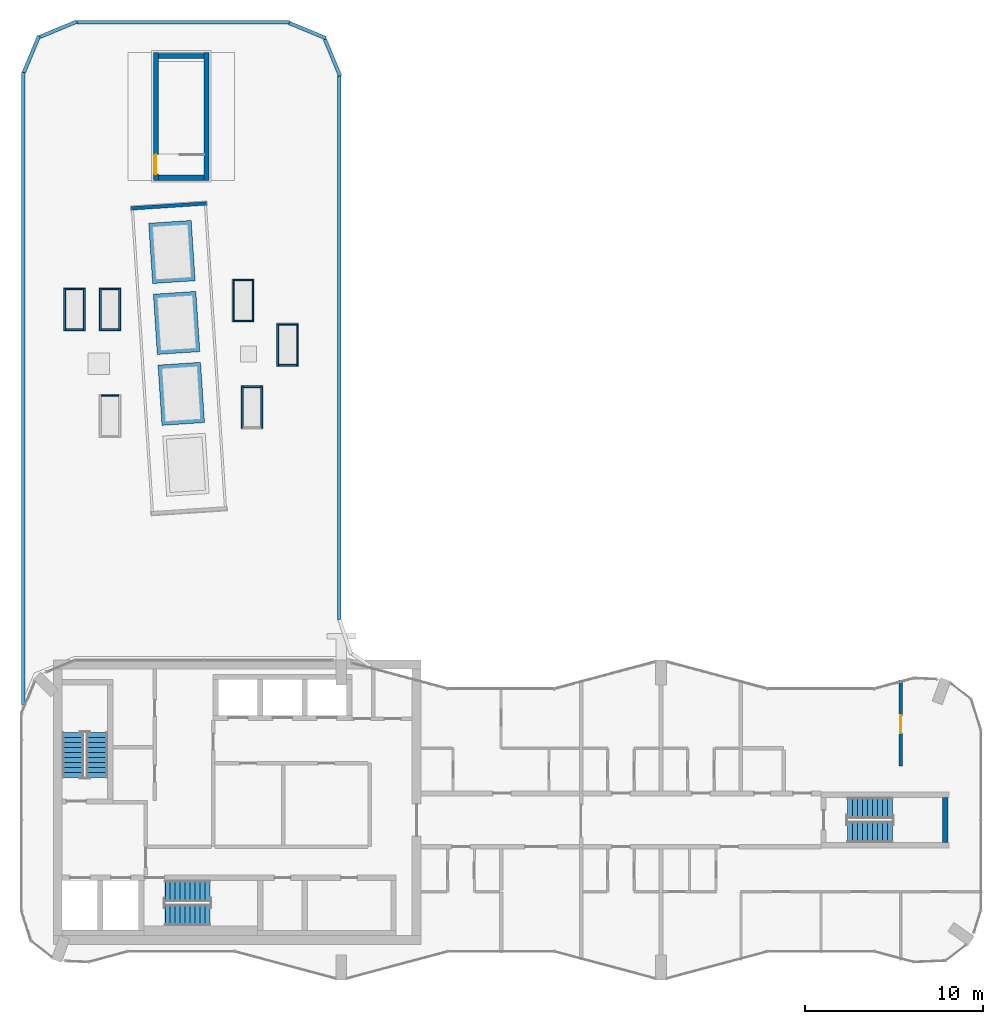
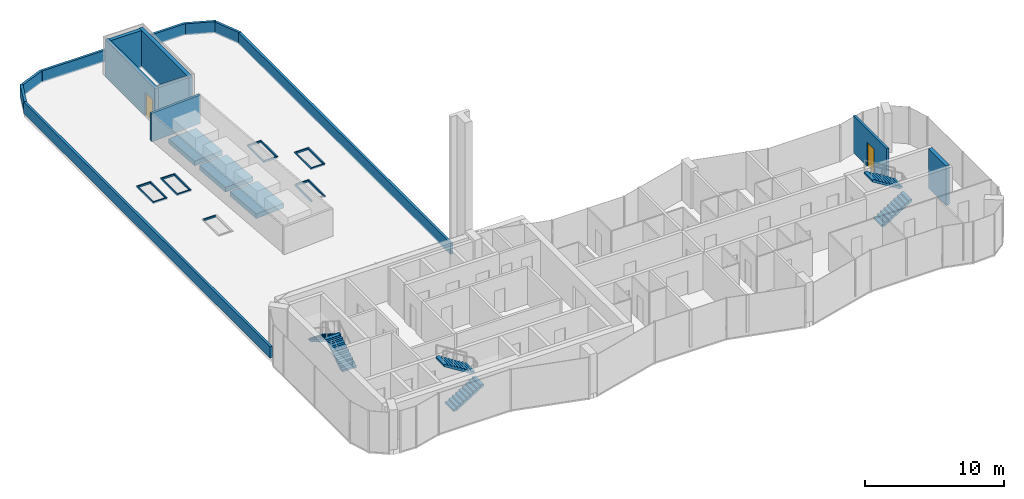
# One storey, part 10 of 13: 37 walls, 6 stair flights, 2 doors, 2 openings, 3 elements without a shape of their own.
"""IFC4 building model written with IfcOpenShell, lengths in metres."""

import ifcopenshell
import ifcopenshell.guid

model = None  # the IFC model being written
_history = None  # IfcOwnerHistory: only IFC2X3 demands one
_inside = {}  # id of a spatial element -> (the spatial element, [elements in it])
_under = {}  # id of a project, library or spatial element -> (it, [spatial elements below it])
_declared = {}  # id of a project -> (the project, [libraries it declares])
_typed = {}  # id of a type object -> (the type object, [elements of that type])
_made_of = {}  # id of a material, layer set ... -> (it, [elements and type objects made of it])


def new_model(schema):
    """Start an empty IFC model of exactly this schema.

    Asked for "IFC4X3", IfcOpenShell would pick the latest addendum, in which some entities
    have other attributes; the version numbers below select the first issue.
    IFC2X3 requires an IfcOwnerHistory on every rooted entity: one is made here for all.
    """
    global model, _history
    if schema == "IFC4X3":
        model = ifcopenshell.file(schema_version=(4, 3, 0, 0))
    else:
        model = ifcopenshell.file(schema=schema)
    _inside.clear()
    _under.clear()
    _declared.clear()
    _typed.clear()
    _made_of.clear()
    _history = None
    if model.schema == "IFC2X3":
        org = make("IfcOrganization", Name="unknown")
        user = make(
            "IfcPersonAndOrganization",
            ThePerson=make("IfcPerson", FamilyName="unknown"),
            TheOrganization=org,
        )
        app = make(
            "IfcApplication",
            ApplicationDeveloper=org,
            Version="unknown",
            ApplicationFullName="unknown",
            ApplicationIdentifier="unknown",
        )
        _history = make(
            "IfcOwnerHistory",
            OwningUser=user,
            OwningApplication=app,
            ChangeAction="ADDED",
            CreationDate=0,
        )
    return model


def make(cls, **values):
    """One entity of the class cls with the attributes given. An attribute that is None is left unset."""
    return model.create_entity(
        cls, **{name: value for name, value in values.items() if value is not None}
    )


def rooted(cls, **values):
    """An entity with a GlobalId (a new one), such as an element, a storey or a relation."""
    return make(cls, GlobalId=ifcopenshell.guid.new(), OwnerHistory=_history, **values)


def si_unit(unit_type, name, prefix=None):
    """IfcSIUnit, for example si_unit("LENGTHUNIT", "METRE", prefix="MILLI")."""
    return make("IfcSIUnit", UnitType=unit_type, Prefix=prefix, Name=name)


def assignment(units):
    """IfcUnitAssignment: the units of a project."""
    return None if units is None else make("IfcUnitAssignment", Units=units)


def point(xyz):
    """IfcCartesianPoint."""
    return None if xyz is None else make("IfcCartesianPoint", Coordinates=xyz)


def direction(xyz):
    """IfcDirection."""
    return None if xyz is None else make("IfcDirection", DirectionRatios=xyz)


def frame(location, z_axis=None, x_axis=None):
    """IfcAxis2Placement3D, a coordinate frame: its origin and axes. An axis left out is left unset."""
    return make(
        "IfcAxis2Placement3D",
        Location=point(location),
        Axis=direction(z_axis),
        RefDirection=direction(x_axis),
    )


def frame_2d(location, x_axis=None):
    """IfcAxis2Placement2D, a coordinate frame in the plane: its origin and x axis."""
    return make(
        "IfcAxis2Placement2D", Location=point(location), RefDirection=direction(x_axis)
    )


def origin():
    """The frame at (0, 0, 0) with its axes left unset."""
    return frame((0.0, 0.0, 0.0))


def place(relative_to, where):
    """IfcLocalPlacement: puts the frame where relative to a parent placement (None: the world)."""
    return make(
        "IfcLocalPlacement", PlacementRelTo=relative_to, RelativePlacement=where
    )


def context(
    kind, dimensions, precision=None, world=None, true_north=None, identifier=None
):
    """IfcGeometricRepresentationContext, for example the 3D "Model" context."""
    return make(
        "IfcGeometricRepresentationContext",
        ContextIdentifier=identifier,
        ContextType=kind,
        CoordinateSpaceDimension=dimensions,
        Precision=precision,
        WorldCoordinateSystem=world,
        TrueNorth=true_north,
    )


def subcontext(parent, identifier, kind, view, scale=None):
    """IfcGeometricRepresentationSubContext, for example "Body" below "Model"."""
    return make(
        "IfcGeometricRepresentationSubContext",
        ContextIdentifier=identifier,
        ContextType=kind,
        ParentContext=parent,
        TargetScale=scale,
        TargetView=view,
    )


def project(units=None, contexts=None):
    """IfcProject with its units and contexts."""
    return rooted(
        "IfcProject",
        Name="project",
        RepresentationContexts=contexts,
        UnitsInContext=assignment(units),
    )


def spatial(cls, under=None, at=None, **own):
    """A site, building, storey or space (cls), placed at a placement, below another one or the project."""
    s = rooted(cls, ObjectPlacement=at, **own)
    if under is not None:
        _under.setdefault(under.id(), (under, []))[1].append(s)
    return s


def polyline(points):
    """IfcPolyline through the points."""
    return make("IfcPolyline", Points=[point(p) for p in points])


def profile(cls, at=None, kind="AREA", **sizes):
    """A parametric profile (cls). Its sizes go by their IFC names, for example OverallWidth=200.0."""
    return make(cls, ProfileType=kind, Position=at, **sizes)


def rectangle(**sizes):
    """IfcRectangleProfileDef."""
    return profile("IfcRectangleProfileDef", **sizes)


def outline(outer, holes=None, kind="AREA"):
    """IfcArbitraryClosedProfileDef: a profile drawn as a closed curve; with holes, ...WithVoids."""
    if holes is None:
        return make("IfcArbitraryClosedProfileDef", ProfileType=kind, OuterCurve=outer)
    return make(
        "IfcArbitraryProfileDefWithVoids",
        ProfileType=kind,
        OuterCurve=outer,
        InnerCurves=holes,
    )


def extrude(swept, where, along, depth):
    """IfcExtrudedAreaSolid: the profile swept, set in the frame where, extruded along a direction by depth."""
    return make(
        "IfcExtrudedAreaSolid",
        SweptArea=swept,
        Position=where,
        ExtrudedDirection=direction(along),
        Depth=depth,
    )


def shape(context_of_items, identifier, shape_type, items):
    """IfcShapeRepresentation: the items that make up one representation, for example the "Body"."""
    return make(
        "IfcShapeRepresentation",
        ContextOfItems=context_of_items,
        RepresentationIdentifier=identifier,
        RepresentationType=shape_type,
        Items=items,
    )


def material(Name=None, Category=None):
    """IfcMaterial."""
    return make("IfcMaterial", Name=Name, Category=Category)


def layer(
    of_material, thickness, ventilated=None, Name=None, Category=None, Priority=None
):
    """IfcMaterialLayer: one layer of a wall or slab, of a material (None: an air gap)."""
    return make(
        "IfcMaterialLayer",
        Material=of_material,
        LayerThickness=thickness,
        IsVentilated=ventilated,
        Name=Name,
        Category=Category,
        Priority=Priority,
    )


def layer_set(layers, Name=None):
    """IfcMaterialLayerSet."""
    return make("IfcMaterialLayerSet", MaterialLayers=layers, LayerSetName=Name)


def made_of(thing, what):
    """Note that an element or type object is made of a material, layer set ...; save() writes the relation."""
    if what is not None:
        _made_of.setdefault(what.id(), (what, []))[1].append(thing)
    return thing


def type_object(cls, material=None, **own):
    """A type object (cls), such as IfcWallType, which elements share."""
    return made_of(rooted(cls, **own), material)


def element(
    cls,
    number,
    at=None,
    inside=None,
    cuts=None,
    type_object=None,
    material=None,
    context=None,
    identifier="Body",
    shape_type=None,
    held_by="IfcProductDefinitionShape",
    body=None,
    shapes=None,
    **own,
):
    """One element of the class cls, such as IfcWall. Its Tag is "e" and its number.

    at: its placement. inside: the storey or other place that contains it. cuts: it is an
    opening in that element (IfcRelVoidsElement). A single representation is given by context,
    identifier, shape_type and body (its items); several are given by shapes. held_by: the class
    of the entity that holds the representations. save() writes the other relations.
    """
    e = rooted(cls, Tag="e%d" % number, ObjectPlacement=at, **own)
    if body is not None:
        shapes = [shape(context, identifier, shape_type, body)]
    if shapes is not None:
        e.Representation = make(held_by, Representations=shapes)
    if inside is not None:
        _inside.setdefault(inside.id(), (inside, []))[1].append(e)
    if cuts is not None:
        rooted(
            "IfcRelVoidsElement", RelatingBuildingElement=cuts, RelatedOpeningElement=e
        )
    if type_object is not None:
        _typed.setdefault(type_object.id(), (type_object, []))[1].append(e)
    return made_of(e, material)


def fill(opening, filler):
    """IfcRelFillsElement: the door or window that sits in an opening."""
    return rooted(
        "IfcRelFillsElement",
        RelatingOpeningElement=opening,
        RelatedBuildingElement=filler,
    )


def aggregate(whole, parts):
    """IfcRelAggregates: a whole, such as a stair, and the parts it consists of."""
    return rooted("IfcRelAggregates", RelatingObject=whole, RelatedObjects=parts)


def save(model, path):
    """Write the relations noted so far, then the file.

    IfcRelAggregates (storeys below a building ...), IfcRelContainedInSpatialStructure (elements
    in a storey), IfcRelDefinesByType, IfcRelAssociatesMaterial and IfcRelDeclares: one each for
    every whole, place, type object, material and project.
    """
    for whole, parts in _under.values():
        aggregate(whole, parts)
    for where, things in _inside.values():
        rooted(
            "IfcRelContainedInSpatialStructure",
            RelatedElements=things,
            RelatingStructure=where,
        )
    for kind, things in _typed.values():
        rooted("IfcRelDefinesByType", RelatedObjects=things, RelatingType=kind)
    for what, things in _made_of.values():
        rooted("IfcRelAssociatesMaterial", RelatedObjects=things, RelatingMaterial=what)
    for by, libraries in _declared.values():
        rooted("IfcRelDeclares", RelatingContext=by, RelatedDefinitions=libraries)
    model.write(path)


model = new_model("IFC4")

# Units and contexts
model_context = context("Model", 3, precision=1e-05, world=origin(), true_north=direction((0.0, 1.0)))
body_context = subcontext(model_context, "Body", "Model", "MODEL_VIEW")
ifc_project = project(units=[si_unit("LENGTHUNIT", "METRE"), si_unit("AREAUNIT", "SQUARE_METRE"), si_unit("VOLUMEUNIT", "CUBIC_METRE"), si_unit("PLANEANGLEUNIT", "RADIAN"), si_unit("MASSUNIT", "GRAM", prefix="KILO")], contexts=[model_context])

# Site, building, storey
site_placement = place(None, origin())
site = spatial("IfcSite", under=ifc_project, at=site_placement, CompositionType="ELEMENT")
building_placement = place(site_placement, origin())
building = spatial("IfcBuilding", under=site, at=building_placement, Name="Plateau Cross Towers", CompositionType="ELEMENT")
storey_placement = place(building_placement, frame((0.0, 0.0, 229.39990234375)))
storey = spatial("IfcBuildingStorey", under=building, at=storey_placement, Name="L60", CompositionType="ELEMENT", Elevation=229.39990234375)

# Wall, opening, door
ifc_material_1 = material(Name="Gypsum board on steel studs, two layers each side", Category="steel")
ifc_layer_1 = layer(ifc_material_1, 0.199951171875)
ifc_layer_set_1 = layer_set([ifc_layer_1], Name="Gypsum board on steel studs, two layers each side")
wall_type_1 = type_object("IfcWallType", Name="Flat party wall 200", PredefinedType="PARTITIONING", material=ifc_layer_set_1)
wall_1_placement = place(storey_placement, frame((49.5, 12.050048828125, 0.0), z_axis=(0.0, 0.0, 1.0), x_axis=(0.0, 1.0, 0.0)))
wall_1 = element("IfcWall", 1, at=wall_1_placement, inside=storey, type_object=wall_type_1, Name="Party wall", PredefinedType="PARTITIONING", context=body_context, shape_type="SweptSolid", body=[
    extrude(rectangle(XDim=4.82763671875, YDim=0.199951171875, at=frame_2d((2.413818359375, 0.0))), origin(), (0.0, 0.0, 1.0), 3.25),
])
opening_1_placement = place(wall_1_placement, frame((1.85009765625, 0.0, 0.0)))
opening_1 = element("IfcOpeningElement", 2, at=opening_1_placement, cuts=wall_1, Name="Opening 60-11", PredefinedType="OPENING", context=body_context, shape_type="SweptSolid", body=[
    extrude(rectangle(XDim=1.0, YDim=2.10009765625, at=frame_2d((0.5, 1.050048828125))), frame((0.0, 0.10986328125, 0.0), z_axis=(0.0, -1.0, 0.0), x_axis=(1.0, 0.0, 0.0)), (0.0, 0.0, 1.0), 0.219970703125),
])
ifc_material_2 = material(Name="Timber, fire-resisting leaf", Category="wood")
door_type_1 = type_object("IfcDoorType", Name="Flat entrance door 1000", OperationType="NOTDEFINED", PredefinedType="DOOR", material=ifc_material_2)
door_1_placement = place(opening_1_placement, origin())
door_1 = element("IfcDoor", 3, at=door_1_placement, inside=storey, type_object=door_type_1, Name="Door 60-11", OperationType="SINGLE_SWING_LEFT", OverallHeight=2.10009765625, OverallWidth=1.0, PredefinedType="DOOR", context=body_context, shape_type="SweptSolid", body=[
    extrude(rectangle(XDim=1.0, YDim=2.10009765625, at=frame_2d((0.5, 1.050048828125))), frame((0.0, 0.02490234375, 0.0), z_axis=(0.0, -1.0, 0.0), x_axis=(1.0, 0.0, 0.0)), (0.0, 0.0, 1.0), 0.050048828125),
])
fill(opening_1, door_1)

# Walls
ifc_material_3 = material(Name="Concrete C30/37", Category="concrete")
ifc_layer_2 = layer(ifc_material_3, 0.199951171875)
ifc_layer_set_2 = layer_set([ifc_layer_2], Name="Concrete C30/37")
wall_type_2 = type_object("IfcWallType", Name="Parapet wall 200", PredefinedType="PARAPET", material=ifc_layer_set_2)
wall_2_placement = place(storey_placement, frame((0.1005859375, 15.50390625, 0.0), z_axis=(0.0, 0.0, 1.0), x_axis=(-1.3724952e-05, 0.999999999906, 0.0)))
element("IfcWall", 4, at=wall_2_placement, inside=storey, type_object=wall_type_2, Name="Parapet 1", PredefinedType="PARAPET", context=body_context, shape_type="SweptSolid", body=[
    extrude(rectangle(XDim=35.576171875, YDim=0.199951171875, at=frame_2d((17.7880859375, 0.0))), origin(), (0.0, 0.0, 1.0), 1.0),
])
for number, where, z_axis, x_axis, name in (
    (5, (0.13818359375, 51.072509765625, 0.0), (0.0, 0.0, 1.0), (0.382683050338, 0.923879690752, 0.0), "Parapet 2"),
    (6, (1.047607421875, 53.0830078125, 0.0), (0.0, 0.0, 1.0), (0.923879690752, 0.382683050338, 0.0), "Parapet 3"),
):
    element("IfcWall", number, at=place(storey_placement, frame(where, z_axis=z_axis, x_axis=x_axis)), inside=storey, type_object=wall_type_2, Name=name, PredefinedType="PARAPET", context=body_context, shape_type="SweptSolid", body=[
        extrude(rectangle(XDim=2.23486328125, YDim=0.199951171875, at=frame_2d((1.117431640625, 0.0))), origin(), (0.0, 0.0, 1.0), 1.0),
    ])
wall_3_placement = place(storey_placement, frame((3.119873046875, 53.89990234375, 0.0), z_axis=(0.0, 0.0, 1.0), x_axis=(1.0, 0.0, 0.0)))
element("IfcWall", 7, at=wall_3_placement, inside=storey, type_object=wall_type_2, Name="Parapet 4", PredefinedType="PARAPET", context=body_context, shape_type="SweptSolid", body=[
    extrude(rectangle(XDim=11.960205078125, YDim=0.199951171875, at=frame_2d((5.97998046875, 0.0))), origin(), (0.0, 0.0, 1.0), 1.0),
])
for number, where, z_axis, x_axis, name in (
    (8, (15.072509765625, 53.86181640625, 0.0), (0.0, 0.0, 1.0), (0.923879690752, -0.382683050338, 0.0), "Parapet 5"),
    (9, (17.0830078125, 52.952392578125, 0.0), (0.0, 0.0, 1.0), (0.382683050338, -0.923879690752, 0.0), "Parapet 6"),
):
    element("IfcWall", number, at=place(storey_placement, frame(where, z_axis=z_axis, x_axis=x_axis)), inside=storey, type_object=wall_type_2, Name=name, PredefinedType="PARAPET", context=body_context, shape_type="SweptSolid", body=[
        extrude(rectangle(XDim=2.23486328125, YDim=0.199951171875, at=frame_2d((1.117431640625, 0.0))), origin(), (0.0, 0.0, 1.0), 1.0),
    ])
wall_4_placement = place(storey_placement, frame((17.89990234375, 50.880126953125, 0.0), z_axis=(0.0, 0.0, 1.0), x_axis=(0.0, -1.0, 0.0)))
element("IfcWall", 10, at=wall_4_placement, inside=storey, type_object=wall_type_2, Name="Parapet 7", PredefinedType="PARAPET", context=body_context, shape_type="SweptSolid", body=[
    extrude(rectangle(XDim=30.594482421875, YDim=0.199951171875, at=frame_2d((15.29736328125, 0.0))), origin(), (0.0, 0.0, 1.0), 1.0),
])
ifc_material_4 = material(Name="Precast concrete C40/50", Category="concrete")
ifc_layer_3 = layer(ifc_material_4, 0.199951171875)
ifc_layer_set_3 = layer_set([ifc_layer_3], Name="Precast concrete C40/50")
wall_type_3 = type_object("IfcWallType", Name="Plant enclosure wall 200", PredefinedType="STANDARD", material=ifc_layer_set_3)
wall_5_placement = place(storey_placement, frame((6.18798828125, 43.42822265625, 0.0), z_axis=(0.0, 0.0, 1.0), x_axis=(0.997831790662, 0.065815784911, 0.0)))
element("IfcWall", 11, at=wall_5_placement, inside=storey, type_object=wall_type_3, Name="Plant enclosure wall west", PredefinedType="STANDARD", context=body_context, shape_type="SweptSolid", body=[
    extrude(rectangle(XDim=4.239990234375, YDim=0.199951171875, at=frame_2d((2.1201171875, 0.0))), origin(), (0.0, 0.0, 1.0), 2.52001953125),
])
ifc_layer_4 = layer(ifc_material_3, 2.0)
ifc_layer_set_4 = layer_set([ifc_layer_4], Name="Concrete C30/37")
wall_type_4 = type_object("IfcWallType", Name="Plant plinth 300", PredefinedType="STANDARD", material=ifc_layer_set_4)
wall_6_placement = place(storey_placement, frame((8.362548828125, 42.669677734375, 0.0), z_axis=(0.0, 0.0, 1.0), x_axis=(0.06577550039, -0.997834446964, 0.0)))
element("IfcWall", 12, at=wall_6_placement, inside=storey, type_object=wall_type_4, Name="Plant plinth 1", PredefinedType="STANDARD", context=body_context, shape_type="SweptSolid", body=[
    extrude(rectangle(XDim=3.39990234375, YDim=2.39990234375, at=frame_2d((1.699951171875, 0.0))), origin(), (0.0, 0.0, 1.0), 0.420166015625),
])
wall_7_placement = place(storey_placement, frame((8.625732421875, 38.678466796875, 0.0), z_axis=(0.0, 0.0, 1.0), x_axis=(0.065770787793, -0.997834757599, 0.0)))
element("IfcWall", 13, at=wall_7_placement, inside=storey, type_object=wall_type_4, Name="Plant plinth 2", PredefinedType="STANDARD", context=body_context, shape_type="SweptSolid", body=[
    extrude(rectangle(XDim=3.400146484375, YDim=2.39990234375, at=frame_2d((1.7001953125, 0.0))), origin(), (0.0, 0.0, 1.0), 0.420166015625),
])
wall_8_placement = place(storey_placement, frame((8.888916015625, 34.68701171875, 0.0), z_axis=(0.0, 0.0, 1.0), x_axis=(0.06577550039, -0.997834446964, 0.0)))
element("IfcWall", 14, at=wall_8_placement, inside=storey, type_object=wall_type_4, Name="Plant plinth 3", PredefinedType="STANDARD", context=body_context, shape_type="SweptSolid", body=[
    extrude(rectangle(XDim=3.39990234375, YDim=2.39990234375, at=frame_2d((1.699951171875, 0.0))), origin(), (0.0, 0.0, 1.0), 0.420166015625),
])
ifc_layer_5 = layer(ifc_material_3, 0.10009765625)
ifc_layer_set_5 = layer_set([ifc_layer_5], Name="Concrete C30/37")
wall_type_5 = type_object("IfcWallType", Name="Rooflight kerb 100", PredefinedType="STANDARD", material=ifc_layer_set_5)
wall_9_placement = place(storey_placement, frame((4.488037109375, 32.89404296875, 0.0), z_axis=(0.0, 0.0, 1.0), x_axis=(1.0, 0.0, 0.0)))
element("IfcWall", 15, at=wall_9_placement, inside=storey, type_object=wall_type_5, Name="Rooflight RL1 1 kerb", PredefinedType="STANDARD", context=body_context, shape_type="SweptSolid", body=[
    extrude(rectangle(XDim=1.0, YDim=0.10009765625, at=frame_2d((0.5, 0.0))), origin(), (0.0, 0.0, 1.0), 0.150146484375),
])
for number, where, z_axis, x_axis, name in (
    (16, (12.43798828125, 31.0439453125, 0.0), (0.0, 0.0, 1.0), (0.0, 1.0, 0.0), "Rooflight RL1 2 kerb"),
    (17, (13.5380859375, 31.0439453125, 0.0), (0.0, 0.0, 1.0), (0.0, 1.0, 0.0), "Rooflight RL1 2 kerb"),
):
    element("IfcWall", number, at=place(storey_placement, frame(where, z_axis=z_axis, x_axis=x_axis)), inside=storey, type_object=wall_type_5, Name=name, PredefinedType="STANDARD", context=body_context, shape_type="SweptSolid", body=[
        extrude(rectangle(XDim=2.400146484375, YDim=0.10009765625, at=frame_2d((1.2001953125, 0.0))), origin(), (0.0, 0.0, 1.0), 0.150146484375),
    ])
wall_10_placement = place(storey_placement, frame((12.488037109375, 33.39404296875, 0.0), z_axis=(0.0, 0.0, 1.0), x_axis=(1.0, 0.0, 0.0)))
element("IfcWall", 18, at=wall_10_placement, inside=storey, type_object=wall_type_5, Name="Rooflight RL1 2 kerb", PredefinedType="STANDARD", context=body_context, shape_type="SweptSolid", body=[
    extrude(rectangle(XDim=1.0, YDim=0.10009765625, at=frame_2d((0.5, 0.0))), origin(), (0.0, 0.0, 1.0), 0.150146484375),
])
for number, where, z_axis, x_axis, name in (
    (19, (14.43798828125, 34.5439453125, 0.0), (0.0, 0.0, 1.0), (0.0, 1.0, 0.0), "Rooflight RL1 3 kerb"),
    (20, (15.5380859375, 34.5439453125, 0.0), (0.0, 0.0, 1.0), (0.0, 1.0, 0.0), "Rooflight RL1 3 kerb"),
):
    element("IfcWall", number, at=place(storey_placement, frame(where, z_axis=z_axis, x_axis=x_axis)), inside=storey, type_object=wall_type_5, Name=name, PredefinedType="STANDARD", context=body_context, shape_type="SweptSolid", body=[
        extrude(rectangle(XDim=2.400146484375, YDim=0.10009765625, at=frame_2d((1.2001953125, 0.0))), origin(), (0.0, 0.0, 1.0), 0.150146484375),
    ])
for number, where, z_axis, x_axis, name in (
    (21, (14.488037109375, 34.593994140625, 0.0), (0.0, 0.0, 1.0), (1.0, 0.0, 0.0), "Rooflight RL1 3 kerb"),
    (22, (14.488037109375, 36.89404296875, 0.0), (0.0, 0.0, 1.0), (1.0, 0.0, 0.0), "Rooflight RL1 3 kerb"),
):
    element("IfcWall", number, at=place(storey_placement, frame(where, z_axis=z_axis, x_axis=x_axis)), inside=storey, type_object=wall_type_5, Name=name, PredefinedType="STANDARD", context=body_context, shape_type="SweptSolid", body=[
        extrude(rectangle(XDim=1.0, YDim=0.10009765625, at=frame_2d((0.5, 0.0))), origin(), (0.0, 0.0, 1.0), 0.150146484375),
    ])
for number, where, z_axis, x_axis, name in (
    (23, (2.43798828125, 36.5439453125, 0.0), (0.0, 0.0, 1.0), (0.0, 1.0, 0.0), "Rooflight RL1 4 kerb"),
    (24, (3.5380859375, 36.5439453125, 0.0), (0.0, 0.0, 1.0), (0.0, 1.0, 0.0), "Rooflight RL1 4 kerb"),
):
    element("IfcWall", number, at=place(storey_placement, frame(where, z_axis=z_axis, x_axis=x_axis)), inside=storey, type_object=wall_type_5, Name=name, PredefinedType="STANDARD", context=body_context, shape_type="SweptSolid", body=[
        extrude(rectangle(XDim=2.400146484375, YDim=0.10009765625, at=frame_2d((1.2001953125, 0.0))), origin(), (0.0, 0.0, 1.0), 0.150146484375),
    ])
for number, where, z_axis, x_axis, name in (
    (25, (2.488037109375, 36.593994140625, 0.0), (0.0, 0.0, 1.0), (1.0, 0.0, 0.0), "Rooflight RL1 4 kerb"),
    (26, (2.488037109375, 38.89404296875, 0.0), (0.0, 0.0, 1.0), (1.0, 0.0, 0.0), "Rooflight RL1 4 kerb"),
):
    element("IfcWall", number, at=place(storey_placement, frame(where, z_axis=z_axis, x_axis=x_axis)), inside=storey, type_object=wall_type_5, Name=name, PredefinedType="STANDARD", context=body_context, shape_type="SweptSolid", body=[
        extrude(rectangle(XDim=1.0, YDim=0.10009765625, at=frame_2d((0.5, 0.0))), origin(), (0.0, 0.0, 1.0), 0.150146484375),
    ])
for number, where, z_axis, x_axis, name in (
    (27, (4.43798828125, 36.5439453125, 0.0), (0.0, 0.0, 1.0), (0.0, 1.0, 0.0), "Rooflight RL1 5 kerb"),
    (28, (5.5380859375, 36.5439453125, 0.0), (0.0, 0.0, 1.0), (0.0, 1.0, 0.0), "Rooflight RL1 5 kerb"),
):
    element("IfcWall", number, at=place(storey_placement, frame(where, z_axis=z_axis, x_axis=x_axis)), inside=storey, type_object=wall_type_5, Name=name, PredefinedType="STANDARD", context=body_context, shape_type="SweptSolid", body=[
        extrude(rectangle(XDim=2.400146484375, YDim=0.10009765625, at=frame_2d((1.2001953125, 0.0))), origin(), (0.0, 0.0, 1.0), 0.150146484375),
    ])
for number, where, z_axis, x_axis, name in (
    (29, (4.488037109375, 36.593994140625, 0.0), (0.0, 0.0, 1.0), (1.0, 0.0, 0.0), "Rooflight RL1 5 kerb"),
    (30, (4.488037109375, 38.89404296875, 0.0), (0.0, 0.0, 1.0), (1.0, 0.0, 0.0), "Rooflight RL1 5 kerb"),
):
    element("IfcWall", number, at=place(storey_placement, frame(where, z_axis=z_axis, x_axis=x_axis)), inside=storey, type_object=wall_type_5, Name=name, PredefinedType="STANDARD", context=body_context, shape_type="SweptSolid", body=[
        extrude(rectangle(XDim=1.0, YDim=0.10009765625, at=frame_2d((0.5, 0.0))), origin(), (0.0, 0.0, 1.0), 0.150146484375),
    ])
for number, where, z_axis, x_axis, name in (
    (31, (11.93798828125, 37.0439453125, 0.0), (0.0, 0.0, 1.0), (0.0, 1.0, 0.0), "Rooflight RL1 6 kerb"),
    (32, (13.0380859375, 37.0439453125, 0.0), (0.0, 0.0, 1.0), (0.0, 1.0, 0.0), "Rooflight RL1 6 kerb"),
):
    element("IfcWall", number, at=place(storey_placement, frame(where, z_axis=z_axis, x_axis=x_axis)), inside=storey, type_object=wall_type_5, Name=name, PredefinedType="STANDARD", context=body_context, shape_type="SweptSolid", body=[
        extrude(rectangle(XDim=2.400146484375, YDim=0.10009765625, at=frame_2d((1.2001953125, 0.0))), origin(), (0.0, 0.0, 1.0), 0.150146484375),
    ])
for number, where, z_axis, x_axis, name in (
    (33, (11.988037109375, 37.093994140625, 0.0), (0.0, 0.0, 1.0), (1.0, 0.0, 0.0), "Rooflight RL1 6 kerb"),
    (34, (11.988037109375, 39.39404296875, 0.0), (0.0, 0.0, 1.0), (1.0, 0.0, 0.0), "Rooflight RL1 6 kerb"),
):
    element("IfcWall", number, at=place(storey_placement, frame(where, z_axis=z_axis, x_axis=x_axis)), inside=storey, type_object=wall_type_5, Name=name, PredefinedType="STANDARD", context=body_context, shape_type="SweptSolid", body=[
        extrude(rectangle(XDim=1.0, YDim=0.10009765625, at=frame_2d((0.5, 0.0))), origin(), (0.0, 0.0, 1.0), 0.150146484375),
    ])
ifc_material_5 = material(Name="Concrete C60/75", Category="concrete")
ifc_layer_6 = layer(ifc_material_5, 0.300048828125)
ifc_layer_set_6 = layer_set([ifc_layer_6], Name="Concrete C60/75")
wall_type_6 = type_object("IfcWallType", Name="Stair tower wall 300", PredefinedType="SHEAR", material=ifc_layer_set_6)
wall_11_placement = place(storey_placement, frame((52.0, 7.72509765625, 0.0), z_axis=(0.0, 0.0, 1.0), x_axis=(0.0, 1.0, 0.0)))
element("IfcWall", 35, at=wall_11_placement, inside=storey, type_object=wall_type_6, Name="A-end-E-E@L60", PredefinedType="SHEAR", context=body_context, shape_type="SweptSolid", body=[
    extrude(rectangle(XDim=2.5498046875, YDim=0.300048828125, at=frame_2d((1.27490234375, 0.0))), origin(), (0.0, 0.0, 1.0), 3.5),
])
for number, where, z_axis, x_axis, name in (
    (36, (7.72509765625, 45.14990234375, 0.0), (0.0, 0.0, 1.0), (1.0, 0.0, 0.0), "A-end-N-S@L60"),
    (37, (7.72509765625, 52.0, 0.0), (0.0, 0.0, 1.0), (1.0, 0.0, 0.0), "A-end-N-N@L60"),
):
    element("IfcWall", number, at=place(storey_placement, frame(where, z_axis=z_axis, x_axis=x_axis)), inside=storey, type_object=wall_type_6, Name=name, PredefinedType="SHEAR", context=body_context, shape_type="SweptSolid", body=[
        extrude(rectangle(XDim=2.5498046875, YDim=0.300048828125, at=frame_2d((1.27490234375, 0.0))), origin(), (0.0, 0.0, 1.0), 3.25),
    ])

# Wall, opening, door
wall_12_placement = place(storey_placement, frame((7.574951171875, 45.0, 0.0), z_axis=(0.0, 0.0, 1.0), x_axis=(0.0, 1.0, 0.0)))
wall_12 = element("IfcWall", 38, at=wall_12_placement, inside=storey, type_object=wall_type_6, Name="A-end-N-W@L60", PredefinedType="SHEAR", context=body_context, shape_type="SweptSolid", body=[
    extrude(rectangle(XDim=7.199951171875, YDim=0.300048828125, at=frame_2d((3.60009765625, 0.0))), origin(), (0.0, 0.0, 1.0), 3.25),
])
opening_2_placement = place(wall_12_placement, frame((0.35009765625, 0.0, 0.0)))
opening_2 = element("IfcOpeningElement", 39, at=opening_2_placement, cuts=wall_12, Name="Opening SD", PredefinedType="OPENING", context=body_context, shape_type="SweptSolid", body=[
    extrude(rectangle(XDim=1.10009765625, YDim=2.10009765625, at=frame_2d((0.550048828125, 1.050048828125))), frame((0.0, 0.159912109375, 0.0), z_axis=(0.0, -1.0, 0.0), x_axis=(1.0, 0.0, 0.0)), (0.0, 0.0, 1.0), 0.320068359375),
])
ifc_material_6 = material(Name="Steel, fire-resisting leaf", Category="steel")
door_type_2 = type_object("IfcDoorType", Name="Stair door 1100", OperationType="NOTDEFINED", PredefinedType="DOOR", material=ifc_material_6)
door_2_placement = place(opening_2_placement, origin())
door_2 = element("IfcDoor", 40, at=door_2_placement, inside=storey, type_object=door_type_2, Name="Stair door SD", OperationType="SINGLE_SWING_LEFT", OverallHeight=2.10009765625, OverallWidth=1.10009765625, PredefinedType="DOOR", context=body_context, shape_type="SweptSolid", body=[
    extrude(rectangle(XDim=1.10009765625, YDim=2.10009765625, at=frame_2d((0.550048828125, 1.050048828125))), frame((0.0, 0.02490234375, 0.0), z_axis=(0.0, -1.0, 0.0), x_axis=(1.0, 0.0, 0.0)), (0.0, 0.0, 1.0), 0.050048828125),
])
fill(opening_2, door_2)

# Wall
wall_13_placement = place(storey_placement, frame((10.425048828125, 45.0, 0.0), z_axis=(0.0, 0.0, 1.0), x_axis=(0.0, 1.0, 0.0)))
element("IfcWall", 41, at=wall_13_placement, inside=storey, type_object=wall_type_6, Name="A-end-N-E@L60", PredefinedType="SHEAR", context=body_context, shape_type="SweptSolid", body=[
    extrude(rectangle(XDim=7.199951171875, YDim=0.300048828125, at=frame_2d((3.60009765625, 0.0))), origin(), (0.0, 0.0, 1.0), 3.25),
])

# Stair, stair flights
ifc_material_7 = material(Name="Concrete C40/50", Category="concrete")
stair_type = type_object("IfcStairType", Name="ST-TWR", PredefinedType="HALF_TURN_STAIR", material=ifc_material_7)
stair_1_placement = place(storey_placement, origin())
stair_1 = element("IfcStair", 42, at=stair_1_placement, inside=storey, type_object=stair_type, Name="L60 Protected Exit Stair ST-1", PredefinedType="HALF_TURN_STAIR")
stair_flight_type = type_object("IfcStairFlightType", Name="SFL-RC", PredefinedType="STRAIGHT", material=ifc_material_7)
stair_flight_1_placement = place(storey_placement, frame((4.25, 11.39990234375, 0.0), z_axis=(0.0, 0.0, 1.0), x_axis=(0.0, 1.0, 0.0)))
stair_flight_1 = element("IfcStairFlight", 43, at=stair_flight_1_placement, type_object=stair_flight_type, Name="ST-1 flight 1", NumberOfRisers=10, NumberOfTreads=9, PredefinedType="STRAIGHT", RiserHeight=0.175, TreadLength=0.28, context=body_context, shape_type="SweptSolid", body=[
    extrude(outline(polyline([(-0.0048828125, -0.010009765625), (-0.0048828125, 0.0), (0.0, 0.0), (0.0, 0.175048828125), (0.280029296875, 0.175048828125), (0.280029296875, 0.35009765625), (0.56005859375, 0.35009765625), (0.56005859375, 0.52490234375), (0.840087890625, 0.52490234375), (0.840087890625, 0.699951171875), (1.1201171875, 0.699951171875), (1.1201171875, 0.875), (1.39990234375, 0.875), (1.39990234375, 1.050048828125), (1.679931640625, 1.050048828125), (1.679931640625, 1.22509765625), (1.9599609375, 1.22509765625), (1.9599609375, 1.39990234375), (2.239990234375, 1.39990234375), (2.239990234375, 1.574951171875), (2.52001953125, 1.574951171875), (2.52490234375, 1.56494140625), (2.52490234375, 1.398193359375), (2.52001953125, 1.398193359375), (0.28271484375, 0.0), (0.02001953125, 0.0), (0.02001953125, -0.010009765625), (-0.0048828125, -0.010009765625)])), frame((0.0, 0.60009765625, 0.0), z_axis=(0.0, -1.0, 0.0), x_axis=(1.0, 0.0, 0.0)), (0.0, 0.0, 1.0), 1.199951171875),
])
stair_flight_2_placement = place(storey_placement, frame((2.89990234375, 13.919921875, 1.75), z_axis=(0.0, 0.0, 1.0), x_axis=(0.0, -1.0, 0.0)))
stair_flight_2 = element("IfcStairFlight", 44, at=stair_flight_2_placement, type_object=stair_flight_type, Name="ST-1 flight 2", NumberOfRisers=10, NumberOfTreads=9, PredefinedType="STRAIGHT", RiserHeight=0.175, TreadLength=0.28, context=body_context, shape_type="SweptSolid", body=[
    extrude(outline(polyline([(-0.0048828125, -0.010009765625), (-0.0048828125, 0.0), (0.0, 0.0), (0.0, 0.175048828125), (0.280029296875, 0.175048828125), (0.280029296875, 0.35009765625), (0.56005859375, 0.35009765625), (0.56005859375, 0.52490234375), (0.840087890625, 0.52490234375), (0.840087890625, 0.699951171875), (1.1201171875, 0.699951171875), (1.1201171875, 0.875), (1.39990234375, 0.875), (1.39990234375, 1.050048828125), (1.679931640625, 1.050048828125), (1.679931640625, 1.22509765625), (1.9599609375, 1.22509765625), (1.9599609375, 1.39990234375), (2.239990234375, 1.39990234375), (2.239990234375, 1.574951171875), (2.52001953125, 1.574951171875), (2.52490234375, 1.56494140625), (2.52490234375, 1.398193359375), (2.52001953125, 1.398193359375), (0.28271484375, 0.0), (0.02001953125, 0.0), (0.02001953125, -0.010009765625), (-0.0048828125, -0.010009765625)])), frame((0.0, 0.60009765625, 0.0), z_axis=(0.0, -1.0, 0.0), x_axis=(1.0, 0.0, 0.0)), (0.0, 0.0, 1.0), 1.199951171875),
])
aggregate(stair_1, [stair_flight_1, stair_flight_2])

stair_2_placement = place(storey_placement, origin())
stair_2 = element("IfcStair", 45, at=stair_2_placement, inside=storey, type_object=stair_type, Name="L60 Protected Exit Stair ST-2", PredefinedType="HALF_TURN_STAIR")
stair_flight_3_placement = place(storey_placement, frame((8.10009765625, 3.64990234375, 0.0), z_axis=(0.0, 0.0, 1.0), x_axis=(1.0, 0.0, 0.0)))
stair_flight_3 = element("IfcStairFlight", 46, at=stair_flight_3_placement, type_object=stair_flight_type, Name="ST-2 flight 1", NumberOfRisers=10, NumberOfTreads=9, PredefinedType="STRAIGHT", RiserHeight=0.175, TreadLength=0.28, context=body_context, shape_type="SweptSolid", body=[
    extrude(outline(polyline([(-0.0048828125, -0.010009765625), (-0.0048828125, 0.0), (0.0, 0.0), (0.0, 0.175048828125), (0.280029296875, 0.175048828125), (0.280029296875, 0.35009765625), (0.56005859375, 0.35009765625), (0.56005859375, 0.52490234375), (0.840087890625, 0.52490234375), (0.840087890625, 0.699951171875), (1.1201171875, 0.699951171875), (1.1201171875, 0.875), (1.39990234375, 0.875), (1.39990234375, 1.050048828125), (1.679931640625, 1.050048828125), (1.679931640625, 1.22509765625), (1.9599609375, 1.22509765625), (1.9599609375, 1.39990234375), (2.239990234375, 1.39990234375), (2.239990234375, 1.574951171875), (2.52001953125, 1.574951171875), (2.52490234375, 1.56494140625), (2.52490234375, 1.398193359375), (2.52001953125, 1.398193359375), (0.28271484375, 0.0), (0.02001953125, 0.0), (0.02001953125, -0.010009765625), (-0.0048828125, -0.010009765625)])), frame((0.0, 0.60009765625, 0.0), z_axis=(0.0, -1.0, 0.0), x_axis=(1.0, 0.0, 0.0)), (0.0, 0.0, 1.0), 1.199951171875),
])
stair_flight_4_placement = place(storey_placement, frame((10.6201171875, 5.0, 1.75), z_axis=(0.0, 0.0, 1.0), x_axis=(-1.0, 0.0, 0.0)))
stair_flight_4 = element("IfcStairFlight", 47, at=stair_flight_4_placement, type_object=stair_flight_type, Name="ST-2 flight 2", NumberOfRisers=10, NumberOfTreads=9, PredefinedType="STRAIGHT", RiserHeight=0.175, TreadLength=0.28, context=body_context, shape_type="SweptSolid", body=[
    extrude(outline(polyline([(-0.0048828125, -0.010009765625), (-0.0048828125, 0.0), (0.0, 0.0), (0.0, 0.175048828125), (0.280029296875, 0.175048828125), (0.280029296875, 0.35009765625), (0.56005859375, 0.35009765625), (0.56005859375, 0.52490234375), (0.840087890625, 0.52490234375), (0.840087890625, 0.699951171875), (1.1201171875, 0.699951171875), (1.1201171875, 0.875), (1.39990234375, 0.875), (1.39990234375, 1.050048828125), (1.679931640625, 1.050048828125), (1.679931640625, 1.22509765625), (1.9599609375, 1.22509765625), (1.9599609375, 1.39990234375), (2.239990234375, 1.39990234375), (2.239990234375, 1.574951171875), (2.52001953125, 1.574951171875), (2.52490234375, 1.56494140625), (2.52490234375, 1.398193359375), (2.52001953125, 1.398193359375), (0.28271484375, 0.0), (0.02001953125, 0.0), (0.02001953125, -0.010009765625), (-0.0048828125, -0.010009765625)])), frame((0.0, 0.60009765625, 0.0), z_axis=(0.0, -1.0, 0.0), x_axis=(1.0, 0.0, 0.0)), (0.0, 0.0, 1.0), 1.199951171875),
])
aggregate(stair_2, [stair_flight_3, stair_flight_4])

stair_3_placement = place(storey_placement, origin())
stair_3 = element("IfcStair", 48, at=stair_3_placement, inside=storey, type_object=stair_type, Name="L60 Protected Exit Stair E", PredefinedType="HALF_TURN_STAIR")
stair_flight_5_placement = place(storey_placement, frame((46.5, 8.324951171875, 0.0), z_axis=(0.0, 0.0, 1.0), x_axis=(1.0, 0.0, 0.0)))
stair_flight_5 = element("IfcStairFlight", 49, at=stair_flight_5_placement, type_object=stair_flight_type, Name="ES-E flight 1", NumberOfRisers=10, NumberOfTreads=9, PredefinedType="STRAIGHT", RiserHeight=0.175, TreadLength=0.28, context=body_context, shape_type="SweptSolid", body=[
    extrude(outline(polyline([(-0.0048828125, -0.010009765625), (-0.0048828125, 0.0), (0.0, 0.0), (0.0, 0.175048828125), (0.280029296875, 0.175048828125), (0.280029296875, 0.35009765625), (0.56005859375, 0.35009765625), (0.56005859375, 0.52490234375), (0.840087890625, 0.52490234375), (0.840087890625, 0.699951171875), (1.1201171875, 0.699951171875), (1.1201171875, 0.875), (1.39990234375, 0.875), (1.39990234375, 1.050048828125), (1.679931640625, 1.050048828125), (1.679931640625, 1.22509765625), (1.9599609375, 1.22509765625), (1.9599609375, 1.39990234375), (2.239990234375, 1.39990234375), (2.239990234375, 1.574951171875), (2.52001953125, 1.574951171875), (2.52490234375, 1.56494140625), (2.52490234375, 1.398193359375), (2.52001953125, 1.398193359375), (0.28271484375, 0.0), (0.02001953125, 0.0), (0.02001953125, -0.010009765625), (-0.0048828125, -0.010009765625)])), frame((0.0, 0.60009765625, 0.0), z_axis=(0.0, -1.0, 0.0), x_axis=(1.0, 0.0, 0.0)), (0.0, 0.0, 1.0), 1.199951171875),
])
stair_flight_6_placement = place(storey_placement, frame((49.02001953125, 9.675048828125, 1.75), z_axis=(0.0, 0.0, 1.0), x_axis=(-1.0, 0.0, 0.0)))
stair_flight_6 = element("IfcStairFlight", 50, at=stair_flight_6_placement, type_object=stair_flight_type, Name="ES-E flight 2", NumberOfRisers=10, NumberOfTreads=9, PredefinedType="STRAIGHT", RiserHeight=0.175, TreadLength=0.28, context=body_context, shape_type="SweptSolid", body=[
    extrude(outline(polyline([(-0.0048828125, -0.010009765625), (-0.0048828125, 0.0), (0.0, 0.0), (0.0, 0.175048828125), (0.280029296875, 0.175048828125), (0.280029296875, 0.35009765625), (0.56005859375, 0.35009765625), (0.56005859375, 0.52490234375), (0.840087890625, 0.52490234375), (0.840087890625, 0.699951171875), (1.1201171875, 0.699951171875), (1.1201171875, 0.875), (1.39990234375, 0.875), (1.39990234375, 1.050048828125), (1.679931640625, 1.050048828125), (1.679931640625, 1.22509765625), (1.9599609375, 1.22509765625), (1.9599609375, 1.39990234375), (2.239990234375, 1.39990234375), (2.239990234375, 1.574951171875), (2.52001953125, 1.574951171875), (2.52490234375, 1.56494140625), (2.52490234375, 1.398193359375), (2.52001953125, 1.398193359375), (0.28271484375, 0.0), (0.02001953125, 0.0), (0.02001953125, -0.010009765625), (-0.0048828125, -0.010009765625)])), frame((0.0, 0.60009765625, 0.0), z_axis=(0.0, -1.0, 0.0), x_axis=(1.0, 0.0, 0.0)), (0.0, 0.0, 1.0), 1.199951171875),
])
aggregate(stair_3, [stair_flight_5, stair_flight_6])

save(model, "model.ifc")
